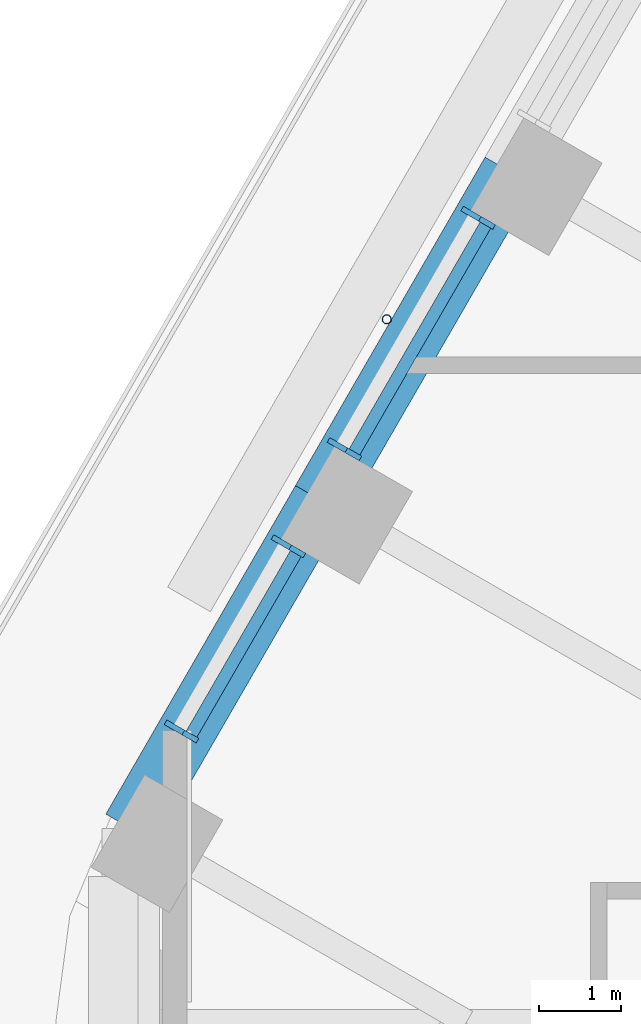
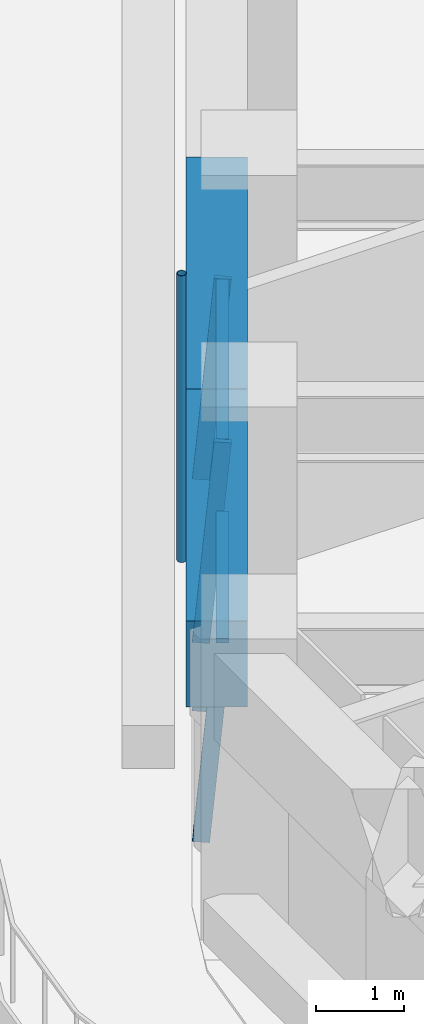
# One storey, part 6 of 20: 7 members, 2 beams, 2 elements without a shape of their own.
"""IFC4 building model written with IfcOpenShell, lengths in metres."""

from ifc_helpers import new_model, si_unit, direction, frame, origin, origin_2d, place, context, subcontext, project, spatial, rectangle, hollow_circle, extrude, material, material_profile, profile_set, type_object, element, aggregate, save


model = new_model("IFC4")

# Units and contexts
model_context = context("Model", 3, precision=1e-05, world=origin(), true_north=direction((0.0, 1.0)))
body_context = subcontext(model_context, "Body", "Model", "MODEL_VIEW")
ifc_project = project(units=[si_unit("LENGTHUNIT", "METRE"), si_unit("AREAUNIT", "SQUARE_METRE"), si_unit("VOLUMEUNIT", "CUBIC_METRE"), si_unit("PLANEANGLEUNIT", "RADIAN"), si_unit("MASSUNIT", "GRAM", prefix="KILO")], contexts=[model_context])

# Site, building, storey
site_placement = place(None, origin())
site = spatial("IfcSite", under=ifc_project, at=site_placement, CompositionType="ELEMENT")
building_placement = place(site_placement, origin())
building = spatial("IfcBuilding", under=site, at=building_placement, Name="Tarfa Lantern Tower", CompositionType="ELEMENT")
storey_placement = place(building_placement, frame((0.0, 0.0, 249.10009765625)))
storey = spatial("IfcBuildingStorey", under=building, at=storey_placement, Name="L56", CompositionType="ELEMENT", Elevation=249.10009765625)

# Curtain wall, members
ifc_material_1 = material(Name="Aluminium framed curtain wall", Category="aluminium")
curtain_wall_type = type_object("IfcCurtainWallType", Name="CW3 CANTED GLAZING HIGH ZONE 2800", PredefinedType="USERDEFINED", material=ifc_material_1)
curtain_wall_1_placement = place(storey_placement, origin())
curtain_wall_1 = element("IfcCurtainWall", 1, at=curtain_wall_1_placement, inside=storey, type_object=curtain_wall_type, Name="CW3 NW L56", ObjectType="CURTAIN WALL", PredefinedType="USERDEFINED")
ifc_material_2 = material(Name="Aluminium mullion", Category="aluminium")
ifc_material_profile_1 = material_profile(ifc_material_2, rectangle(XDim=0.06494140625, YDim=0.199951171875, at=origin_2d()), Name="AL MULLION 65x200")
ifc_profile_set_1 = profile_set([ifc_material_profile_1], Name="Aluminium mullion")
member_type_1 = type_object("IfcMemberType", Name="CWM1 MULLION 65x200", PredefinedType="MULLION", material=ifc_profile_set_1)
member_1_placement = place(storey_placement, frame((-27.6787109375, 9.85888671875, 0.0), z_axis=(0.077039050765, -0.044468989844, 0.996035889715), x_axis=(0.499919672301, 0.866071776036, 0.0)))
member_1 = element("IfcMember", 2, at=member_1_placement, type_object=member_type_1, Name="CW3 mullion 1", PredefinedType="MULLION", context=body_context, shape_type="SweptSolid", body=[
    extrude(rectangle(XDim=0.06494140625, YDim=0.199951171875, at=origin_2d()), origin(), (0.0, 0.0, 1.0), 2.81103515625),
])
member_2_placement = place(storey_placement, frame((-29.3056640625, 7.041015625, 0.0), z_axis=(0.077039050765, -0.044468989844, 0.996035889715), x_axis=(0.499919672301, 0.866071776036, 0.0)))
member_2 = element("IfcMember", 3, at=member_2_placement, type_object=member_type_1, Name="CW3 mullion 2", PredefinedType="MULLION", context=body_context, shape_type="SweptSolid", body=[
    extrude(rectangle(XDim=0.06494140625, YDim=0.199951171875, at=origin_2d()), origin(), (0.0, 0.0, 1.0), 2.81103515625),
])

curtain_wall_2_placement = place(storey_placement, origin())
curtain_wall_2 = element("IfcCurtainWall", 4, at=curtain_wall_2_placement, inside=storey, type_object=curtain_wall_type, Name="CW3 NW L56", ObjectType="CURTAIN WALL", PredefinedType="USERDEFINED")
member_3_placement = place(storey_placement, frame((-29.98828125, 5.85888671875, 0.0), z_axis=(0.077039050765, -0.044468989844, 0.996035889715), x_axis=(0.499919672301, 0.866071776036, 0.0)))
member_3 = element("IfcMember", 5, at=member_3_placement, type_object=member_type_1, Name="CW3 mullion 1", PredefinedType="MULLION", context=body_context, shape_type="SweptSolid", body=[
    extrude(rectangle(XDim=0.06494140625, YDim=0.199951171875, at=origin_2d()), origin(), (0.0, 0.0, 1.0), 2.81103515625),
])
member_4_placement = place(storey_placement, frame((-31.2900390625, 3.60400390625, 0.0), z_axis=(0.077039050765, -0.044468989844, 0.996035889715), x_axis=(0.499919672301, 0.866071776036, 0.0)))
member_4 = element("IfcMember", 6, at=member_4_placement, type_object=member_type_1, Name="CW3 mullion 2", PredefinedType="MULLION", context=body_context, shape_type="SweptSolid", body=[
    extrude(rectangle(XDim=0.06494140625, YDim=0.199951171875, at=origin_2d()), origin(), (0.0, 0.0, 1.0), 2.81103515625),
])

# Member
ifc_material_3 = material(Name="Aluminium transom", Category="aluminium")
ifc_material_profile_2 = material_profile(ifc_material_3, rectangle(XDim=0.14990234375, YDim=0.06494140625, at=origin_2d()), Name="AL TRANSOM 150x65")
ifc_profile_set_2 = profile_set([ifc_material_profile_2], Name="Aluminium transom")
member_type_2 = type_object("IfcMemberType", Name="CWT1 TRANSOM 150x65", PredefinedType="USERDEFINED", material=ifc_profile_set_2)
member_5_placement = place(storey_placement, frame((-27.48095703125, 9.707275390625, 2.767333984375), z_axis=(-0.500000789788, -0.8660249478, 0.0), x_axis=(0.8660249478, -0.500000789788, 0.0)))
member_5 = element("IfcMember", 7, at=member_5_placement, type_object=member_type_2, Name="CW3 transom 1.2", ObjectType="TRANSOM", PredefinedType="USERDEFINED", context=body_context, shape_type="SweptSolid", body=[
    extrude(rectangle(XDim=0.14990234375, YDim=0.06494140625, at=origin_2d()), origin(), (0.0, 0.0, 1.0), 3.18896484375),
])

aggregate(curtain_wall_1, [member_1, member_2, member_5])

member_6_placement = place(storey_placement, frame((-29.79052734375, 5.707275390625, 2.767333984375), z_axis=(-0.499955533855, -0.866051074803, 0.0), x_axis=(0.866051074803, -0.499955533855, 0.0)))
member_6 = element("IfcMember", 8, at=member_6_placement, type_object=member_type_2, Name="CW3 transom 1.2", ObjectType="TRANSOM", PredefinedType="USERDEFINED", context=body_context, shape_type="SweptSolid", body=[
    extrude(rectangle(XDim=0.14990234375, YDim=0.06494140625, at=origin_2d()), origin(), (0.0, 0.0, 1.0), 2.538818359375),
])

aggregate(curtain_wall_2, [member_3, member_4, member_6])

# Beams
ifc_material_4 = material(Name="Concrete C80/95", Category="concrete")
ifc_material_profile_3 = material_profile(ifc_material_4, rectangle(XDim=0.699951171875, YDim=1.199951171875, at=origin_2d()), Name="RC 700x1200")
ifc_profile_set_3 = profile_set([ifc_material_profile_3], Name="Concrete C80/95")
beam_type = type_object("IfcBeamType", Name="EB3 RC 700x1200", PredefinedType="SPANDREL", material=ifc_profile_set_3)
beam_1_placement = place(storey_placement, frame((-27.181640625, 10.360107421875, 3.39990234375), z_axis=(-0.499987836815, -0.866032426089, 0.0), x_axis=(0.866032426089, -0.499987836815, 0.0)))
element("IfcBeam", 9, at=beam_1_placement, inside=storey, type_object=beam_type, Name="Edge beam NW4", PredefinedType="SPANDREL", context=body_context, shape_type="SweptSolid", body=[
    extrude(rectangle(XDim=0.699951171875, YDim=1.199951171875, at=origin_2d()), origin(), (0.0, 0.0, 1.0), 4.61865234375),
])
beam_2_placement = place(storey_placement, frame((-29.490966796875, 6.360107421875, 3.39990234375), z_axis=(-0.500027479704, -0.866009537788, 0.0), x_axis=(0.866009537788, -0.500027479704, 0.0)))
element("IfcBeam", 10, at=beam_2_placement, inside=storey, type_object=beam_type, Name="Edge beam NW5", PredefinedType="SPANDREL", context=body_context, shape_type="SweptSolid", body=[
    extrude(rectangle(XDim=0.699951171875, YDim=1.199951171875, at=origin_2d()), origin(), (0.0, 0.0, 1.0), 4.618896484375),
])

# Member
ifc_material_5 = material(Name="Steel S355", Category="steel")
ifc_material_profile_4 = material_profile(ifc_material_5, hollow_circle(Radius=0.05712890625, WallThickness=0.00634765625, at=origin_2d()), Name="CHS114.3x6.3")
ifc_profile_set_4 = profile_set([ifc_material_profile_4], Name="Steel S355")
member_type_3 = type_object("IfcMemberType", Name="TR1 GREEN WALL TRELLIS CHS114.3x6.3", PredefinedType="USERDEFINED", material=ifc_profile_set_4)
member_7_placement = place(storey_placement, frame((-28.682861328125, 8.56005859375, 0.0), z_axis=(0.0, 0.0, 1.0), x_axis=(1.0, 0.0, 0.0)))
element("IfcMember", 11, at=member_7_placement, inside=storey, type_object=member_type_3, Name="Trellis post NW 2", ObjectType="TRELLIS", PredefinedType="USERDEFINED", context=body_context, shape_type="SweptSolid", body=[
    extrude(hollow_circle(Radius=0.05712890625, WallThickness=0.00634765625, at=origin_2d()), origin(), (0.0, 0.0, 1.0), 4.0),
])

save(model, "model.ifc")
